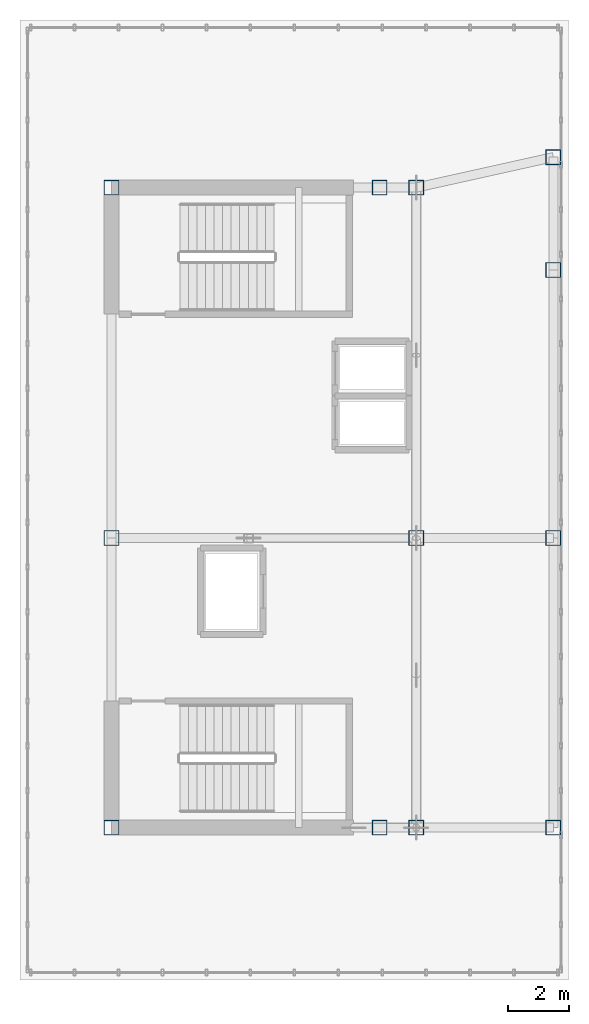
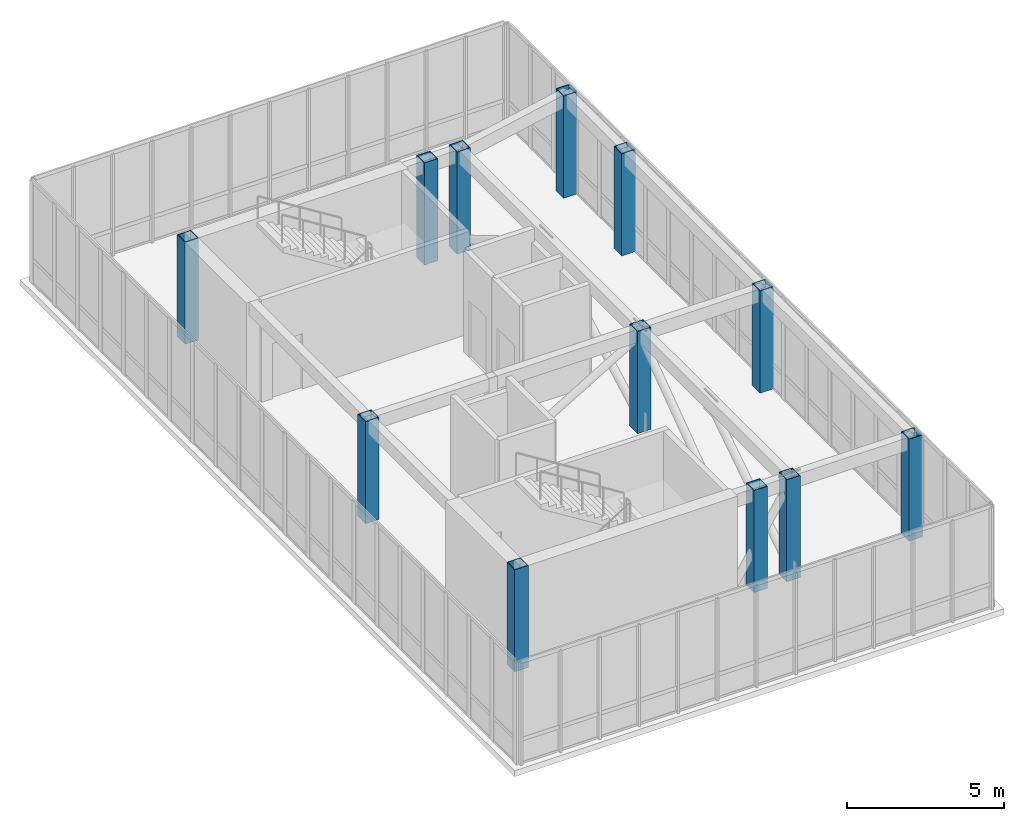
# One storey, part 1 of 13: 12 columns.
"""IFC4 building model written with IfcOpenShell, lengths in metres."""

from ifc_helpers import new_model, si_unit, direction, frame, origin, origin_2d, place, context, subcontext, project, spatial, hollow_rectangle, extrude, source, transform, mapped, material, material_profile, profile_set, type_object, element, save


model = new_model("IFC4")

# Units and contexts
model_context = context("Model", 3, precision=1e-05, world=origin(), true_north=direction((0.0, 1.0)))
body_context = subcontext(model_context, "Body", "Model", "MODEL_VIEW")
ifc_project = project(units=[si_unit("LENGTHUNIT", "METRE"), si_unit("AREAUNIT", "SQUARE_METRE"), si_unit("VOLUMEUNIT", "CUBIC_METRE"), si_unit("PLANEANGLEUNIT", "RADIAN"), si_unit("MASSUNIT", "GRAM", prefix="KILO")], contexts=[model_context])

# Site, building, storey
site_placement = place(None, origin())
site = spatial("IfcSite", under=ifc_project, at=site_placement, CompositionType="ELEMENT")
building_placement = place(site_placement, origin())
building = spatial("IfcBuilding", under=site, at=building_placement, Name="Kharzan Plaza Tower", CompositionType="ELEMENT")
storey_placement = place(building_placement, frame((0.0, 0.0, 281.39990234375)))
storey = spatial("IfcBuildingStorey", under=building, at=storey_placement, Name="L76-CROWN", CompositionType="ELEMENT", Elevation=281.39990234375)

# Columns
ifc_material = material(Name="Steel S355", Category="steel")
ifc_material_profile = material_profile(ifc_material, hollow_rectangle(XDim=0.5, YDim=0.5, WallThickness=0.02490234375, at=origin_2d()), Name="SHS500x500x25")
ifc_profile_set = profile_set([ifc_material_profile], Name="Steel S355")
column_type = type_object("IfcColumnType", Name="COL-LC500", PredefinedType="COLUMN", material=ifc_profile_set)
shared_shape = source(origin(), body_context, "Body", "SweptSolid", [
    extrude(hollow_rectangle(XDim=0.5, YDim=0.5, WallThickness=0.02490234375, at=origin_2d()), origin(), (0.0, 0.0, 1.0), 3.97021484375),
])
for number, where, z_axis, x_axis, name in (
    (1, (4.5, 8.5, 0.0), (0.0, 0.0, 1.0), (1.0, 0.0, 0.0), "L76-CROWN CROWN FRAME Lantern Column LC01"),
    (2, (13.300048828125, 8.5, 0.0), (0.0, 0.0, 1.0), (1.0, 0.0, 0.0), "L76-CROWN CROWN FRAME Lantern Column LC02"),
    (3, (14.5, 8.5, 0.0), (0.0, 0.0, 1.0), (1.0, 0.0, 0.0), "L76-CROWN CROWN FRAME Lantern Column LC03"),
    (4, (4.5, 18.0, 0.0), (0.0, 0.0, 1.0), (1.0, 0.0, 0.0), "L76-CROWN CROWN FRAME Lantern Column LC04"),
    (5, (14.5, 18.0, 0.0), (0.0, 0.0, 1.0), (1.0, 0.0, 0.0), "L76-CROWN CROWN FRAME Lantern Column LC05"),
    (6, (4.5, 29.5, 0.0), (0.0, 0.0, 1.0), (1.0, 0.0, 0.0), "L76-CROWN CROWN FRAME Lantern Column LC06"),
    (7, (13.300048828125, 29.5, 0.0), (0.0, 0.0, 1.0), (1.0, 0.0, 0.0), "L76-CROWN CROWN FRAME Lantern Column LC07"),
    (8, (14.5, 29.5, 0.0), (0.0, 0.0, 1.0), (1.0, 0.0, 0.0), "L76-CROWN CROWN FRAME Lantern Column LC08"),
    (9, (19.0, 8.5, 0.0), (0.0, 0.0, 1.0), (1.0, 0.0, 0.0), "L76-CROWN CROWN FRAME Lantern Column LC09"),
    (10, (19.0, 18.0, 0.0), (0.0, 0.0, 1.0), (1.0, 0.0, 0.0), "L76-CROWN CROWN FRAME Lantern Column LC10"),
    (11, (19.0, 26.800048828125, 0.0), (0.0, 0.0, 1.0), (1.0, 0.0, 0.0), "L76-CROWN CROWN FRAME Lantern Column LC11"),
    (12, (19.0, 30.5, 0.0), (0.0, 0.0, 1.0), (1.0, 0.0, 0.0), "L76-CROWN CROWN FRAME Lantern Column LC12"),
):
    element("IfcColumn", number, at=place(storey_placement, frame(where, z_axis=z_axis, x_axis=x_axis)), inside=storey, type_object=column_type, Name=name, PredefinedType="COLUMN", context=body_context, shape_type="MappedRepresentation", body=[
        mapped(shared_shape, transform((0.0, 0.0, 0.0), x_axis=(1.0, 0.0, 0.0), y_axis=(0.0, 1.0, 0.0), z_axis=(0.0, 0.0, 1.0))),
    ])

save(model, "model.ifc")
